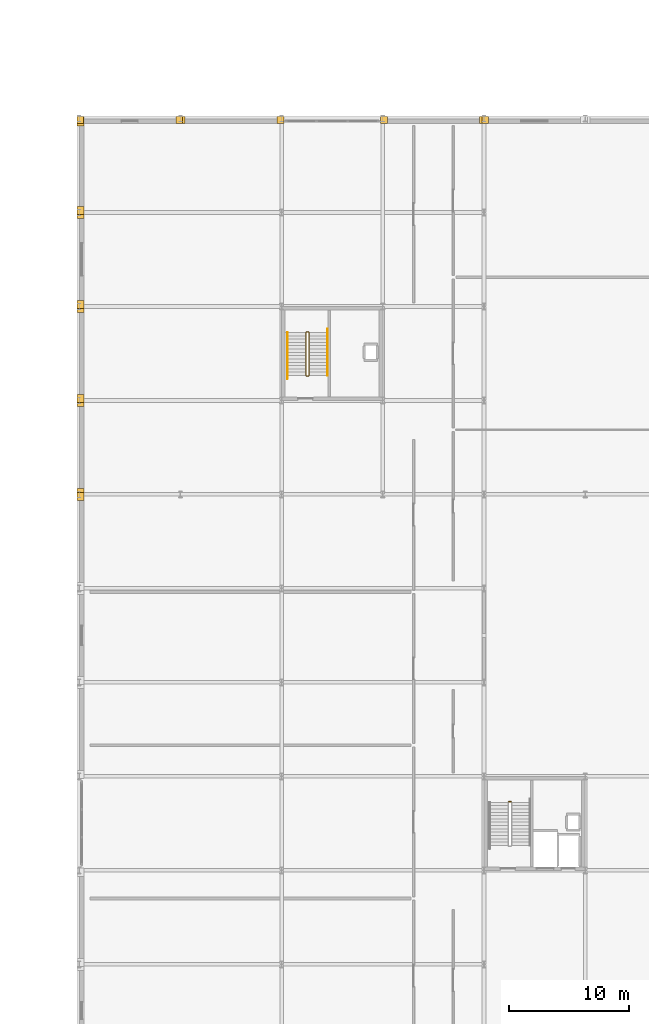
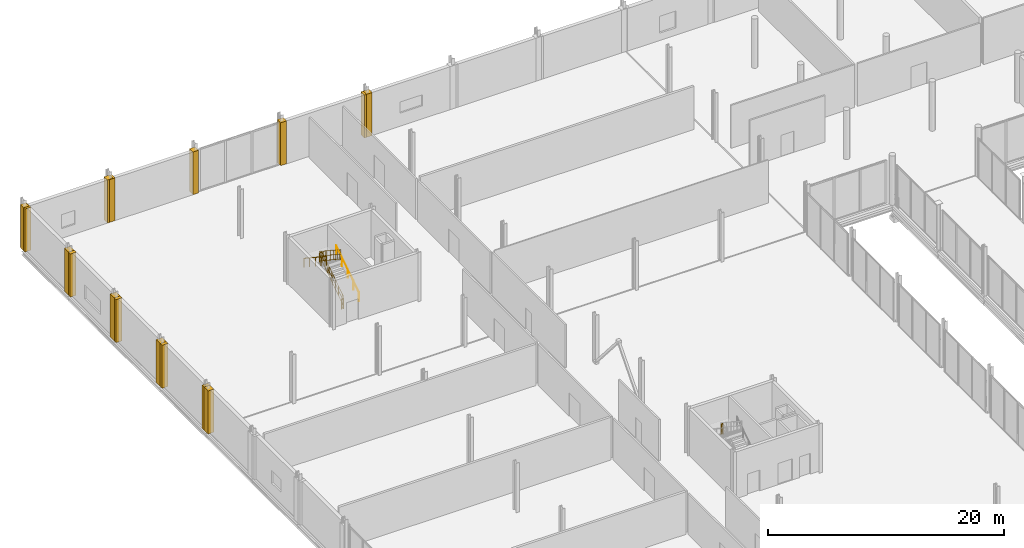
# One storey, part 99 of 105: 16 coverings, 7 railings.
"""IFC4 building model written with IfcOpenShell, lengths in metres."""

from ifc_helpers import new_model, si_unit, direction, frame, origin, origin_2d, place, context, subcontext, project, spatial, polyline, circle, outline, extrude, material, layer, layer_set, type_object, element, save


model = new_model("IFC4")

# Units and contexts
model_context = context("Model", 3, precision=1e-05, world=origin(), true_north=direction((0.0, 1.0)))
body_context = subcontext(model_context, "Body", "Model", "MODEL_VIEW")
ifc_project = project(units=[si_unit("LENGTHUNIT", "METRE"), si_unit("AREAUNIT", "SQUARE_METRE"), si_unit("VOLUMEUNIT", "CUBIC_METRE"), si_unit("PLANEANGLEUNIT", "RADIAN"), si_unit("MASSUNIT", "GRAM", prefix="KILO")], contexts=[model_context])

# Site, building, storey
site_placement = place(None, origin())
site = spatial("IfcSite", under=ifc_project, at=site_placement, CompositionType="ELEMENT")
building_placement = place(site_placement, origin())
building = spatial("IfcBuilding", under=site, at=building_placement, Name="Nabrawat Pavilion Hospital", CompositionType="ELEMENT")
storey_placement = place(building_placement, frame((0.0, 0.0, 5.10009765625)))
storey = spatial("IfcBuildingStorey", under=building, at=storey_placement, Name="L01", CompositionType="ELEMENT", Elevation=5.10009765625)

# Coverings
ifc_material_1 = material(Name="Precast concrete C40/50", Category="concrete")
ifc_layer_1 = layer(ifc_material_1, 0.360107421875, Name="Precast concrete C40/50")
ifc_layer_set_1 = layer_set([ifc_layer_1], Name="Precast concrete C40/50")
covering_type = type_object("IfcCoveringType", Name="Architectural Precast Column-Jamb Closure Reveal", PredefinedType="CLADDING", material=ifc_layer_set_1)
covering_1_placement = place(storey_placement, origin())
element("IfcCovering", 1, at=covering_1_placement, inside=storey, type_object=covering_type, Name="L01 Precast Facade Column-Jamb Weatherseal Closure 0200", PredefinedType="CLADDING", context=body_context, shape_type="SweptSolid", body=[
    extrude(outline(polyline([(0.39990234375, 85.294921875), (0.39990234375, 85.97998046875), (-0.179931640625, 85.97998046875), (-0.179931640625, 85.294921875), (0.39990234375, 85.294921875)])), origin(), (0.0, 0.0, 1.0), 4.4599609375),
])
covering_2_placement = place(storey_placement, origin())
element("IfcCovering", 2, at=covering_2_placement, inside=storey, type_object=covering_type, Name="L01 Precast Facade Column-Jamb Weatherseal Closure 0201", PredefinedType="CLADDING", context=body_context, shape_type="SweptSolid", body=[
    extrude(outline(polyline([(0.39990234375, 85.6201171875), (0.39990234375, 86.304931640625), (-0.179931640625, 86.304931640625), (-0.179931640625, 85.6201171875), (0.39990234375, 85.6201171875)])), origin(), (0.0, 0.0, 1.0), 4.4599609375),
])
covering_3_placement = place(storey_placement, origin())
element("IfcCovering", 3, at=covering_3_placement, inside=storey, type_object=covering_type, Name="L01 Precast Facade Column-Jamb Weatherseal Closure 0202", PredefinedType="CLADDING", context=body_context, shape_type="SweptSolid", body=[
    extrude(outline(polyline([(0.39990234375, 93.094970703125), (0.39990234375, 93.780029296875), (-0.179931640625, 93.780029296875), (-0.179931640625, 93.094970703125), (0.39990234375, 93.094970703125)])), origin(), (0.0, 0.0, 1.0), 4.4599609375),
])
covering_4_placement = place(storey_placement, origin())
element("IfcCovering", 4, at=covering_4_placement, inside=storey, type_object=covering_type, Name="L01 Precast Facade Column-Jamb Weatherseal Closure 0203", PredefinedType="CLADDING", context=body_context, shape_type="SweptSolid", body=[
    extrude(outline(polyline([(0.39990234375, 93.419921875), (0.39990234375, 94.10498046875), (-0.179931640625, 94.10498046875), (-0.179931640625, 93.419921875), (0.39990234375, 93.419921875)])), origin(), (0.0, 0.0, 1.0), 4.4599609375),
])
covering_5_placement = place(storey_placement, origin())
element("IfcCovering", 5, at=covering_5_placement, inside=storey, type_object=covering_type, Name="L01 Precast Facade Column-Jamb Weatherseal Closure 0204", PredefinedType="CLADDING", context=body_context, shape_type="SweptSolid", body=[
    extrude(outline(polyline([(0.39990234375, 100.89501953125), (0.39990234375, 101.580078125), (-0.179931640625, 101.580078125), (-0.179931640625, 100.89501953125), (0.39990234375, 100.89501953125)])), origin(), (0.0, 0.0, 1.0), 4.4599609375),
])
covering_6_placement = place(storey_placement, origin())
element("IfcCovering", 6, at=covering_6_placement, inside=storey, type_object=covering_type, Name="L01 Precast Facade Column-Jamb Weatherseal Closure 0205", PredefinedType="CLADDING", context=body_context, shape_type="SweptSolid", body=[
    extrude(outline(polyline([(0.39990234375, 101.219970703125), (0.39990234375, 101.905029296875), (-0.179931640625, 101.905029296875), (-0.179931640625, 101.219970703125), (0.39990234375, 101.219970703125)])), origin(), (0.0, 0.0, 1.0), 4.4599609375),
])
covering_7_placement = place(storey_placement, origin())
element("IfcCovering", 7, at=covering_7_placement, inside=storey, type_object=covering_type, Name="L01 Precast Facade Column-Jamb Weatherseal Closure 0206", PredefinedType="CLADDING", context=body_context, shape_type="SweptSolid", body=[
    extrude(outline(polyline([(0.39990234375, 108.695068359375), (0.39990234375, 109.3798828125), (-0.179931640625, 109.3798828125), (-0.179931640625, 108.695068359375), (0.39990234375, 108.695068359375)])), origin(), (0.0, 0.0, 1.0), 4.4599609375),
])
covering_8_placement = place(storey_placement, origin())
element("IfcCovering", 8, at=covering_8_placement, inside=storey, type_object=covering_type, Name="L01 Precast Facade Column-Jamb Weatherseal Closure 0207", PredefinedType="CLADDING", context=body_context, shape_type="SweptSolid", body=[
    extrude(outline(polyline([(0.39990234375, 109.02001953125), (0.39990234375, 109.705078125), (-0.179931640625, 109.705078125), (-0.179931640625, 109.02001953125), (0.39990234375, 109.02001953125)])), origin(), (0.0, 0.0, 1.0), 4.4599609375),
])
covering_9_placement = place(storey_placement, origin())
element("IfcCovering", 9, at=covering_9_placement, inside=storey, type_object=covering_type, Name="L01 Precast Facade Column-Jamb Weatherseal Closure 0208", PredefinedType="CLADDING", context=body_context, shape_type="SweptSolid", body=[
    extrude(outline(polyline([(0.39990234375, 116.3798828125), (0.39990234375, 117.179931640625), (-0.179931640625, 117.179931640625), (-0.179931640625, 116.3798828125), (0.39990234375, 116.3798828125)])), origin(), (0.0, 0.0, 1.0), 4.4599609375),
])
covering_10_placement = place(storey_placement, origin())
element("IfcCovering", 10, at=covering_10_placement, inside=storey, type_object=covering_type, Name="L01 Precast Facade Column-Jamb Weatherseal Closure 0209", PredefinedType="CLADDING", context=body_context, shape_type="SweptSolid", body=[
    extrude(outline(polyline([(0.3798828125, 116.60009765625), (0.3798828125, 117.179931640625), (-0.179931640625, 117.179931640625), (-0.179931640625, 116.60009765625), (0.3798828125, 116.60009765625)])), origin(), (0.0, 0.0, 1.0), 4.4599609375),
])
covering_11_placement = place(storey_placement, origin())
element("IfcCovering", 11, at=covering_11_placement, inside=storey, type_object=covering_type, Name="L01 Precast Facade Column-Jamb Weatherseal Closure 0210", PredefinedType="CLADDING", context=body_context, shape_type="SweptSolid", body=[
    extrude(outline(polyline([(8.580078125, 116.60009765625), (8.580078125, 117.179931640625), (8.02001953125, 117.179931640625), (8.02001953125, 116.60009765625), (8.580078125, 116.60009765625)])), origin(), (0.0, 0.0, 1.0), 4.4599609375),
])
covering_12_placement = place(storey_placement, origin())
element("IfcCovering", 12, at=covering_12_placement, inside=storey, type_object=covering_type, Name="L01 Precast Facade Column-Jamb Weatherseal Closure 0211", PredefinedType="CLADDING", context=body_context, shape_type="SweptSolid", body=[
    extrude(outline(polyline([(8.780029296875, 116.60009765625), (8.780029296875, 117.179931640625), (8.219970703125, 117.179931640625), (8.219970703125, 116.60009765625), (8.780029296875, 116.60009765625)])), origin(), (0.0, 0.0, 1.0), 4.419921875),
])
covering_13_placement = place(storey_placement, origin())
element("IfcCovering", 13, at=covering_13_placement, inside=storey, type_object=covering_type, Name="L01 Precast Facade Column-Jamb Weatherseal Closure 0212", PredefinedType="CLADDING", context=body_context, shape_type="SweptSolid", body=[
    extrude(outline(polyline([(16.97998046875, 116.60009765625), (16.97998046875, 117.179931640625), (16.419921875, 117.179931640625), (16.419921875, 116.60009765625), (16.97998046875, 116.60009765625)])), origin(), (0.0, 0.0, 1.0), 4.419921875),
])
covering_14_placement = place(storey_placement, origin())
element("IfcCovering", 14, at=covering_14_placement, inside=storey, type_object=covering_type, Name="L01 Precast Facade Column-Jamb Weatherseal Closure 0213", PredefinedType="CLADDING", context=body_context, shape_type="SweptSolid", body=[
    extrude(outline(polyline([(25.580078125, 116.60009765625), (25.580078125, 117.179931640625), (25.02001953125, 117.179931640625), (25.02001953125, 116.60009765625), (25.580078125, 116.60009765625)])), origin(), (0.0, 0.0, 1.0), 4.449951171875),
])
covering_15_placement = place(storey_placement, origin())
element("IfcCovering", 15, at=covering_15_placement, inside=storey, type_object=covering_type, Name="L01 Precast Facade Column-Jamb Weatherseal Closure 0214", PredefinedType="CLADDING", context=body_context, shape_type="SweptSolid", body=[
    extrude(outline(polyline([(33.780029296875, 116.60009765625), (33.780029296875, 117.179931640625), (33.219970703125, 117.179931640625), (33.219970703125, 116.60009765625), (33.780029296875, 116.60009765625)])), origin(), (0.0, 0.0, 1.0), 4.449951171875),
])
covering_16_placement = place(storey_placement, origin())
element("IfcCovering", 16, at=covering_16_placement, inside=storey, type_object=covering_type, Name="L01 Precast Facade Column-Jamb Weatherseal Closure 0215", PredefinedType="CLADDING", context=body_context, shape_type="SweptSolid", body=[
    extrude(outline(polyline([(33.97998046875, 116.60009765625), (33.97998046875, 117.179931640625), (33.419921875, 117.179931640625), (33.419921875, 116.60009765625), (33.97998046875, 116.60009765625)])), origin(), (0.0, 0.0, 1.0), 4.449951171875),
])

# Railings
ifc_material_2 = material(Name="Stainless Steel 316", Category="steel")
ifc_layer_2 = layer(ifc_material_2, 0.050048828125, Name="Stainless Steel 316")
ifc_layer_set_2 = layer_set([ifc_layer_2], Name="Stainless Steel 316")
railing_type_1 = type_object("IfcRailingType", Name="Stair Open-Well Safety Guardrail 1100", PredefinedType="GUARDRAIL", material=ifc_layer_set_2)
railing_1_placement = place(storey_placement, frame((35.85009765625, 60.294921875, 2.5498046875)))
element("IfcRailing", 17, at=railing_1_placement, inside=storey, type_object=railing_type_1, Name="L01 ST-02 stair guard 2", PredefinedType="GUARDRAIL", context=body_context, shape_type="SweptSolid", body=[
    extrude(circle(Radius=0.02392578125, at=origin_2d()), frame((0.0, 0.0, 1.076171875), z_axis=(-1.0, 0.0, 0.0), x_axis=(0.0, -1.0, 0.0)), (0.0, 0.0, 1.0), 0.2001953125),
    extrude(circle(Radius=0.02392578125, at=origin_2d()), frame((0.0, 0.0, 0.10009765625), z_axis=(-1.0, 0.0, 0.0), x_axis=(0.0, -1.0, 0.0)), (0.0, 0.0, 1.0), 0.2001953125),
    extrude(circle(Radius=0.02392578125, at=origin_2d()), frame((0.0, 0.0, 0.60498046875), z_axis=(-1.0, 0.0, 0.0), x_axis=(0.0, -1.0, 0.0)), (0.0, 0.0, 1.0), 0.2001953125),
    extrude(circle(Radius=0.008056640625, at=origin_2d()), frame((-0.10009765625, 0.0, 0.10009765625)), (0.0, 0.0, 1.0), 0.951904296875),
    extrude(circle(Radius=0.02099609375, at=origin_2d()), origin(), (0.0, 0.0, 1.0), 1.052001953125),
    extrude(circle(Radius=0.02099609375, at=origin_2d()), frame((-0.2001953125, 0.0, 0.0)), (0.0, 0.0, 1.0), 1.052001953125),
])
railing_2_placement = place(storey_placement, frame((19.074951171875, 95.669921875, 0.18212890625)))
element("IfcRailing", 18, at=railing_2_placement, inside=storey, type_object=railing_type_1, Name="L01 ST-07 stair guard 1", PredefinedType="GUARDRAIL", context=body_context, shape_type="SweptSolid", body=[
    extrude(circle(Radius=0.02392578125, at=origin_2d()), frame((0.0, 0.0, 1.076171875), z_axis=(0.0, 0.833745659579, 0.552148689334), x_axis=(-1.0, 0.0, 0.0)), (0.0, 0.0, 1.0), 4.2880859375),
    extrude(circle(Radius=0.02392578125, at=origin_2d()), frame((0.0, 0.0, 0.10009765625), z_axis=(0.0, 0.833745659579, 0.552148689334), x_axis=(-1.0, 0.0, 0.0)), (0.0, 0.0, 1.0), 4.2880859375),
    extrude(circle(Radius=0.02392578125, at=origin_2d()), frame((0.0, 0.0, 0.60498046875), z_axis=(0.0, 0.833745659579, 0.552148689334), x_axis=(-1.0, 0.0, 0.0)), (0.0, 0.0, 1.0), 4.2880859375),
    extrude(circle(Radius=0.008056640625, at=origin_2d()), frame((0.0, 0.19873046875, 0.2314453125)), (0.0, 0.0, 1.0), 0.951904296875),
    extrude(circle(Radius=0.008056640625, at=origin_2d()), frame((0.0, 0.397216796875, 0.363037109375)), (0.0, 0.0, 1.0), 0.951904296875),
    extrude(circle(Radius=0.008056640625, at=origin_2d()), frame((0.0, 0.595947265625, 0.49462890625)), (0.0, 0.0, 1.0), 0.951904296875),
    extrude(circle(Radius=0.008056640625, at=origin_2d()), frame((0.0, 0.79443359375, 0.626220703125)), (0.0, 0.0, 1.0), 0.951904296875),
    extrude(circle(Radius=0.008056640625, at=origin_2d()), frame((0.0, 0.9931640625, 0.757568359375)), (0.0, 0.0, 1.0), 0.951904296875),
    extrude(circle(Radius=0.008056640625, at=origin_2d()), frame((0.0, 1.191650390625, 0.88916015625)), (0.0, 0.0, 1.0), 0.951904296875),
    extrude(circle(Radius=0.008056640625, at=origin_2d()), frame((0.0, 1.390380859375, 1.020751953125)), (0.0, 0.0, 1.0), 0.951904296875),
    extrude(circle(Radius=0.008056640625, at=origin_2d()), frame((0.0, 1.5888671875, 1.15234375)), (0.0, 0.0, 1.0), 0.951904296875),
    extrude(circle(Radius=0.008056640625, at=origin_2d()), frame((0.0, 1.986328125, 1.415283203125)), (0.0, 0.0, 1.0), 0.951904296875),
    extrude(circle(Radius=0.008056640625, at=origin_2d()), frame((0.0, 2.184814453125, 1.546875)), (0.0, 0.0, 1.0), 0.951904296875),
    extrude(circle(Radius=0.008056640625, at=origin_2d()), frame((0.0, 2.383544921875, 1.678466796875)), (0.0, 0.0, 1.0), 0.951904296875),
    extrude(circle(Radius=0.008056640625, at=origin_2d()), frame((0.0, 2.58203125, 1.81005859375)), (0.0, 0.0, 1.0), 0.951904296875),
    extrude(circle(Radius=0.008056640625, at=origin_2d()), frame((0.0, 2.78076171875, 1.94140625)), (0.0, 0.0, 1.0), 0.951904296875),
    extrude(circle(Radius=0.008056640625, at=origin_2d()), frame((0.0, 2.979248046875, 2.072998046875)), (0.0, 0.0, 1.0), 0.951904296875),
    extrude(circle(Radius=0.008056640625, at=origin_2d()), frame((0.0, 3.177978515625, 2.20458984375)), (0.0, 0.0, 1.0), 0.951904296875),
    extrude(circle(Radius=0.008056640625, at=origin_2d()), frame((0.0, 3.37646484375, 2.336181640625)), (0.0, 0.0, 1.0), 0.951904296875),
    extrude(circle(Radius=0.02099609375, at=origin_2d()), origin(), (0.0, 0.0, 1.0), 1.052001953125),
    extrude(circle(Radius=0.02099609375, at=origin_2d()), frame((0.0, 0.893798828125, 0.591796875)), (0.0, 0.0, 1.0), 1.052001953125),
    extrude(circle(Radius=0.02099609375, at=origin_2d()), frame((0.0, 1.78759765625, 1.183837890625)), (0.0, 0.0, 1.0), 1.052001953125),
    extrude(circle(Radius=0.02099609375, at=origin_2d()), frame((0.0, 2.681396484375, 1.77587890625)), (0.0, 0.0, 1.0), 1.052001953125),
    extrude(circle(Radius=0.02099609375, at=origin_2d()), frame((0.0, 3.5751953125, 2.36767578125)), (0.0, 0.0, 1.0), 1.052001953125),
])
railing_3_placement = place(storey_placement, frame((19.050048828125, 99.294921875, 2.5498046875)))
element("IfcRailing", 19, at=railing_3_placement, inside=storey, type_object=railing_type_1, Name="L01 ST-07 stair guard 2", PredefinedType="GUARDRAIL", context=body_context, shape_type="SweptSolid", body=[
    extrude(circle(Radius=0.02392578125, at=origin_2d()), frame((0.0, 0.0, 1.076171875), z_axis=(-1.0, 0.0, 0.0), x_axis=(0.0, -1.0, 0.0)), (0.0, 0.0, 1.0), 0.199951171875),
    extrude(circle(Radius=0.02392578125, at=origin_2d()), frame((0.0, 0.0, 0.10009765625), z_axis=(-1.0, 0.0, 0.0), x_axis=(0.0, -1.0, 0.0)), (0.0, 0.0, 1.0), 0.199951171875),
    extrude(circle(Radius=0.02392578125, at=origin_2d()), frame((0.0, 0.0, 0.60498046875), z_axis=(-1.0, 0.0, 0.0), x_axis=(0.0, -1.0, 0.0)), (0.0, 0.0, 1.0), 0.199951171875),
    extrude(circle(Radius=0.008056640625, at=origin_2d()), frame((-0.10009765625, 0.0, 0.10009765625)), (0.0, 0.0, 1.0), 0.951904296875),
    extrude(circle(Radius=0.02099609375, at=origin_2d()), origin(), (0.0, 0.0, 1.0), 1.052001953125),
    extrude(circle(Radius=0.02099609375, at=origin_2d()), frame((-0.199951171875, 0.0, 0.0)), (0.0, 0.0, 1.0), 1.052001953125),
])
railing_4_placement = place(storey_placement, frame((18.824951171875, 99.2451171875, 2.73193359375)))
element("IfcRailing", 20, at=railing_4_placement, inside=storey, type_object=railing_type_1, Name="L01 ST-07 stair guard 3", PredefinedType="GUARDRAIL", context=body_context, shape_type="SweptSolid", body=[
    extrude(circle(Radius=0.02392578125, at=origin_2d()), frame((0.0, 0.0, 1.076171875), z_axis=(0.0, -0.833719449677, 0.5521882643), x_axis=(1.0, 0.0, 0.0)), (0.0, 0.0, 1.0), 4.288330078125),
    extrude(circle(Radius=0.02392578125, at=origin_2d()), frame((0.0, 0.0, 0.10009765625), z_axis=(0.0, -0.833719449677, 0.5521882643), x_axis=(1.0, 0.0, 0.0)), (0.0, 0.0, 1.0), 4.288330078125),
    extrude(circle(Radius=0.02392578125, at=origin_2d()), frame((0.0, 0.0, 0.60498046875), z_axis=(0.0, -0.833719449677, 0.5521882643), x_axis=(1.0, 0.0, 0.0)), (0.0, 0.0, 1.0), 4.288330078125),
    extrude(circle(Radius=0.008056640625, at=origin_2d()), frame((0.0, -0.19873046875, 0.2314453125)), (0.0, 0.0, 1.0), 0.951904296875),
    extrude(circle(Radius=0.008056640625, at=origin_2d()), frame((0.0, -0.397216796875, 0.363037109375)), (0.0, 0.0, 1.0), 0.951904296875),
    extrude(circle(Radius=0.008056640625, at=origin_2d()), frame((0.0, -0.595947265625, 0.49462890625)), (0.0, 0.0, 1.0), 0.951904296875),
    extrude(circle(Radius=0.008056640625, at=origin_2d()), frame((0.0, -0.79443359375, 0.626220703125)), (0.0, 0.0, 1.0), 0.951904296875),
    extrude(circle(Radius=0.008056640625, at=origin_2d()), frame((0.0, -0.9931640625, 0.7578125)), (0.0, 0.0, 1.0), 0.951904296875),
    extrude(circle(Radius=0.008056640625, at=origin_2d()), frame((0.0, -1.191650390625, 0.889404296875)), (0.0, 0.0, 1.0), 0.951904296875),
    extrude(circle(Radius=0.008056640625, at=origin_2d()), frame((0.0, -1.390380859375, 1.020751953125)), (0.0, 0.0, 1.0), 0.951904296875),
    extrude(circle(Radius=0.008056640625, at=origin_2d()), frame((0.0, -1.5888671875, 1.15234375)), (0.0, 0.0, 1.0), 0.951904296875),
    extrude(circle(Radius=0.008056640625, at=origin_2d()), frame((0.0, -1.986328125, 1.41552734375)), (0.0, 0.0, 1.0), 0.951904296875),
    extrude(circle(Radius=0.008056640625, at=origin_2d()), frame((0.0, -2.184814453125, 1.547119140625)), (0.0, 0.0, 1.0), 0.951904296875),
    extrude(circle(Radius=0.008056640625, at=origin_2d()), frame((0.0, -2.383544921875, 1.6787109375)), (0.0, 0.0, 1.0), 0.951904296875),
    extrude(circle(Radius=0.008056640625, at=origin_2d()), frame((0.0, -2.58203125, 1.81005859375)), (0.0, 0.0, 1.0), 0.951904296875),
    extrude(circle(Radius=0.008056640625, at=origin_2d()), frame((0.0, -2.78076171875, 1.941650390625)), (0.0, 0.0, 1.0), 0.951904296875),
    extrude(circle(Radius=0.008056640625, at=origin_2d()), frame((0.0, -2.979248046875, 2.0732421875)), (0.0, 0.0, 1.0), 0.951904296875),
    extrude(circle(Radius=0.008056640625, at=origin_2d()), frame((0.0, -3.177978515625, 2.204833984375)), (0.0, 0.0, 1.0), 0.951904296875),
    extrude(circle(Radius=0.008056640625, at=origin_2d()), frame((0.0, -3.37646484375, 2.33642578125)), (0.0, 0.0, 1.0), 0.951904296875),
    extrude(circle(Radius=0.02099609375, at=origin_2d()), origin(), (0.0, 0.0, 1.0), 1.052001953125),
    extrude(circle(Radius=0.02099609375, at=origin_2d()), frame((0.0, -0.893798828125, 0.592041015625)), (0.0, 0.0, 1.0), 1.052001953125),
    extrude(circle(Radius=0.02099609375, at=origin_2d()), frame((0.0, -1.78759765625, 1.18408203125)), (0.0, 0.0, 1.0), 1.052001953125),
    extrude(circle(Radius=0.02099609375, at=origin_2d()), frame((0.0, -2.681396484375, 1.77587890625)), (0.0, 0.0, 1.0), 1.052001953125),
    extrude(circle(Radius=0.02099609375, at=origin_2d()), frame((0.0, -3.5751953125, 2.367919921875)), (0.0, 0.0, 1.0), 1.052001953125),
])
railing_5_placement = place(storey_placement, frame((19.050048828125, 95.6201171875, 0.0)))
element("IfcRailing", 21, at=railing_5_placement, inside=storey, type_object=railing_type_1, Name="L01 ST-07 stair guard 4", PredefinedType="GUARDRAIL", context=body_context, shape_type="SweptSolid", body=[
    extrude(circle(Radius=0.02392578125, at=origin_2d()), frame((0.0, 0.0, 1.076171875), z_axis=(-1.0, 0.0, 0.0), x_axis=(0.0, -1.0, 0.0)), (0.0, 0.0, 1.0), 0.199951171875),
    extrude(circle(Radius=0.02392578125, at=origin_2d()), frame((0.0, 0.0, 0.10009765625), z_axis=(-1.0, 0.0, 0.0), x_axis=(0.0, -1.0, 0.0)), (0.0, 0.0, 1.0), 0.199951171875),
    extrude(circle(Radius=0.02392578125, at=origin_2d()), frame((0.0, 0.0, 0.60498046875), z_axis=(-1.0, 0.0, 0.0), x_axis=(0.0, -1.0, 0.0)), (0.0, 0.0, 1.0), 0.199951171875),
    extrude(circle(Radius=0.008056640625, at=origin_2d()), frame((-0.10009765625, 0.0, 0.10009765625)), (0.0, 0.0, 1.0), 0.951904296875),
    extrude(circle(Radius=0.02099609375, at=origin_2d()), origin(), (0.0, 0.0, 1.0), 1.052001953125),
    extrude(circle(Radius=0.02099609375, at=origin_2d()), frame((-0.199951171875, 0.0, 0.0)), (0.0, 0.0, 1.0), 1.052001953125),
])
ifc_layer_3 = layer(ifc_material_2, 0.044921875, Name="Stainless Steel 316")
ifc_layer_set_3 = layer_set([ifc_layer_3], Name="Stainless Steel 316")
railing_type_2 = type_object("IfcRailingType", Name="Stair Pitch Continuous Handrail 920", PredefinedType="HANDRAIL", material=ifc_layer_set_3)
railing_6_placement = place(storey_placement, frame((20.625, 95.669921875, 0.18603515625)))
element("IfcRailing", 22, at=railing_6_placement, inside=storey, type_object=railing_type_2, Name="L01 ST-07 stair handrail 1", PredefinedType="HANDRAIL", context=body_context, shape_type="SweptSolid", body=[
    extrude(circle(Radius=0.02392578125, at=origin_2d()), frame((0.0, 0.0, 0.89599609375), z_axis=(0.0, 0.833713881912, 0.552196670677), x_axis=(-1.0, 0.0, 0.0)), (0.0, 0.0, 1.0), 4.617919921875),
    extrude(circle(Radius=0.02099609375, at=origin_2d()), origin(), (0.0, 0.0, 1.0), 0.871826171875),
    extrude(circle(Radius=0.02099609375, at=origin_2d()), frame((0.0, 0.96240234375, 0.637451171875)), (0.0, 0.0, 1.0), 0.871826171875),
    extrude(circle(Radius=0.02099609375, at=origin_2d()), frame((0.0, 1.925048828125, 1.27490234375)), (0.0, 0.0, 1.0), 0.871826171875),
    extrude(circle(Radius=0.02099609375, at=origin_2d()), frame((0.0, 2.8876953125, 1.91259765625)), (0.0, 0.0, 1.0), 0.871826171875),
    extrude(circle(Radius=0.02099609375, at=origin_2d()), frame((0.0, 3.85009765625, 2.550048828125)), (0.0, 0.0, 1.0), 0.871826171875),
])
railing_7_placement = place(storey_placement, frame((17.27490234375, 99.2451171875, 2.736083984375)))
element("IfcRailing", 23, at=railing_7_placement, inside=storey, type_object=railing_type_2, Name="L01 ST-07 stair handrail 2", PredefinedType="HANDRAIL", context=body_context, shape_type="SweptSolid", body=[
    extrude(circle(Radius=0.02392578125, at=origin_2d()), frame((0.0, 0.0, 0.89599609375), z_axis=(0.0, -0.833713881912, 0.552196670677), x_axis=(1.0, 0.0, 0.0)), (0.0, 0.0, 1.0), 4.617919921875),
    extrude(circle(Radius=0.02099609375, at=origin_2d()), origin(), (0.0, 0.0, 1.0), 0.871826171875),
    extrude(circle(Radius=0.02099609375, at=origin_2d()), frame((0.0, -0.96240234375, 0.637451171875)), (0.0, 0.0, 1.0), 0.871826171875),
    extrude(circle(Radius=0.02099609375, at=origin_2d()), frame((0.0, -1.925048828125, 1.27490234375)), (0.0, 0.0, 1.0), 0.871826171875),
    extrude(circle(Radius=0.02099609375, at=origin_2d()), frame((0.0, -2.8876953125, 1.91259765625)), (0.0, 0.0, 1.0), 0.871826171875),
    extrude(circle(Radius=0.02099609375, at=origin_2d()), frame((0.0, -3.85009765625, 2.550048828125)), (0.0, 0.0, 1.0), 0.871826171875),
])

save(model, "model.ifc")
